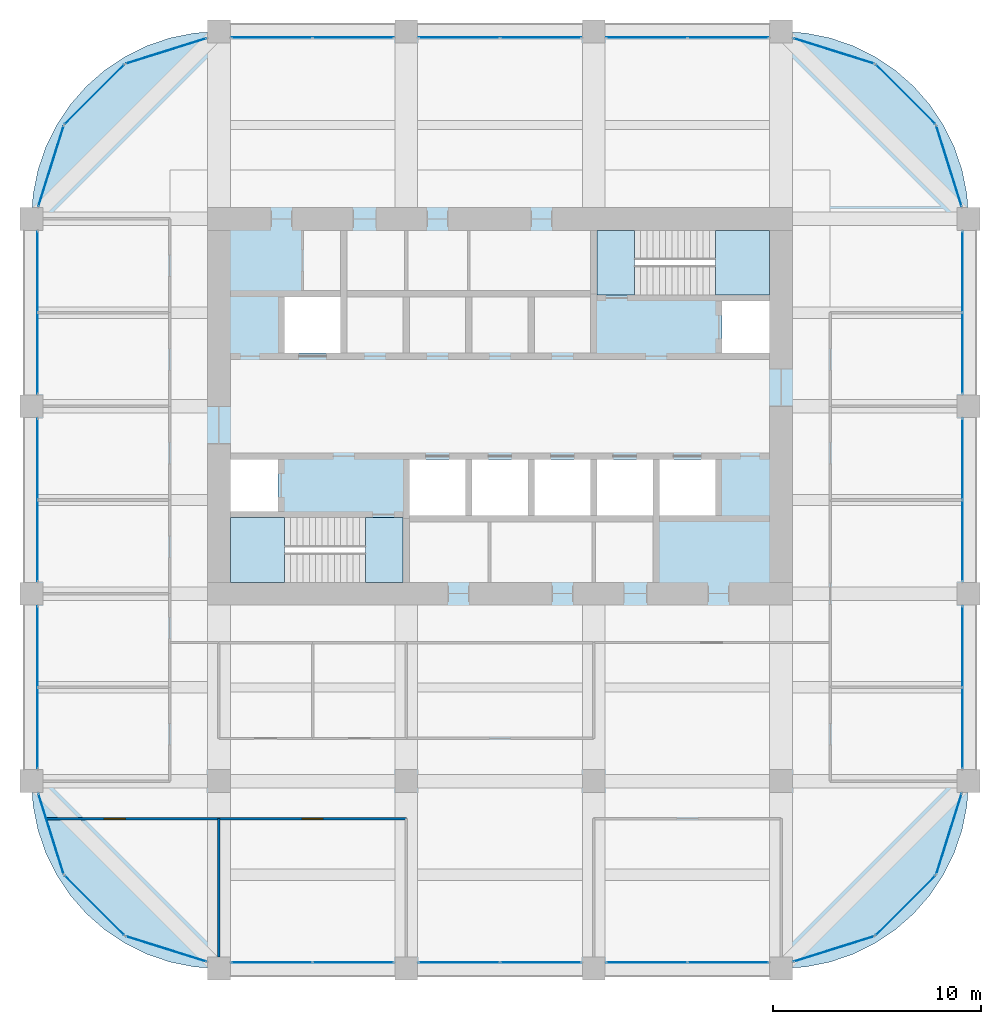
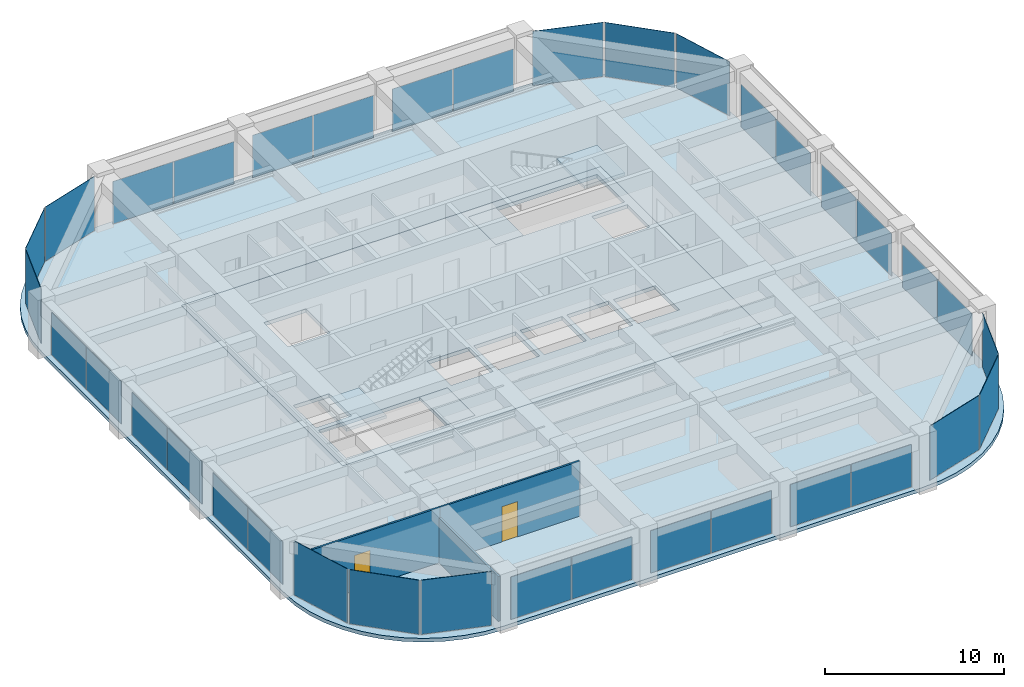
# One storey, part 40 of 44: 36 plates, 6 slabs, 3 walls, 2 doors, 2 openings, 26 elements without a shape of their own.
"""IFC4 building model written with IfcOpenShell, lengths in metres."""

from ifc_helpers import new_model, si_unit, direction, frame, frame_2d, origin, origin_2d, place, context, subcontext, project, spatial, polyline, rectangle, outline, extrude, material, layer, layer_set, type_object, element, fill, aggregate, save


model = new_model("IFC4")

# Units and contexts
model_context = context("Model", 3, precision=1e-05, world=origin(), true_north=direction((0.0, 1.0)))
body_context = subcontext(model_context, "Body", "Model", "MODEL_VIEW")
ifc_project = project(units=[si_unit("LENGTHUNIT", "METRE"), si_unit("AREAUNIT", "SQUARE_METRE"), si_unit("VOLUMEUNIT", "CUBIC_METRE"), si_unit("PLANEANGLEUNIT", "RADIAN"), si_unit("MASSUNIT", "GRAM", prefix="KILO")], contexts=[model_context])

# Site, building, storey
site_placement = place(None, origin())
site = spatial("IfcSite", under=ifc_project, at=site_placement, CompositionType="ELEMENT")
building_placement = place(site_placement, origin())
building = spatial("IfcBuilding", under=site, at=building_placement, Name="Zorevar Civic Tower", CompositionType="ELEMENT")
storey_placement = place(building_placement, frame((0.0, 0.0, 287.39990234375)))
storey = spatial("IfcBuildingStorey", under=building, at=storey_placement, Name="L70", CompositionType="ELEMENT", Elevation=287.39990234375)

# Curtain wall, plates
ifc_material_1 = material(Name="Dark grey solar-control glass in black aluminium frame", Category="aluminium")
curtain_wall_type = type_object("IfcCurtainWallType", Name="Curtain wall CW5 top zone", PredefinedType="NOTDEFINED", material=ifc_material_1)
curtain_wall_1_placement = place(storey_placement, origin())
curtain_wall_1 = element("IfcCurtainWall", 1, at=curtain_wall_1_placement, inside=storey, type_object=curtain_wall_type, Name="CW5 L70", PredefinedType="NOTDEFINED")
ifc_material_2 = material(Name="Dark grey solar-control glass", Category="glass")
ifc_layer_1 = layer(ifc_material_2, 0.028076171875)
ifc_layer_set_1 = layer_set([ifc_layer_1], Name="CW5 panel 28")
plate_type = type_object("IfcPlateType", Name="CW5 panel 28", PredefinedType="CURTAIN_PANEL", material=ifc_layer_set_1)
plate_1_placement = place(storey_placement, frame((20.5400390625, 0.300048828125, 0.06005859375), z_axis=(0.0, 0.0, 1.0), x_axis=(1.0, 0.0, 0.0)))
plate_1 = element("IfcPlate", 2, at=plate_1_placement, type_object=plate_type, Name="CW5 panel 1.1", PredefinedType="CURTAIN_PANEL", context=body_context, shape_type="SweptSolid", body=[
    extrude(rectangle(XDim=3.860107421875, YDim=0.028076171875, at=origin_2d()), origin(), (0.0, 0.0, 1.0), 2.889892578125),
])
plate_2_placement = place(storey_placement, frame((24.4599609375, 0.300048828125, 0.06005859375), z_axis=(0.0, 0.0, 1.0), x_axis=(1.0, 0.0, 0.0)))
plate_2 = element("IfcPlate", 3, at=plate_2_placement, type_object=plate_type, Name="CW5 panel 2.1", PredefinedType="CURTAIN_PANEL", context=body_context, shape_type="SweptSolid", body=[
    extrude(rectangle(XDim=3.860107421875, YDim=0.028076171875, at=origin_2d()), origin(), (0.0, 0.0, 1.0), 2.889892578125),
])
aggregate(curtain_wall_1, [plate_1, plate_2])

curtain_wall_2_placement = place(storey_placement, origin())
curtain_wall_2 = element("IfcCurtainWall", 4, at=curtain_wall_2_placement, inside=storey, type_object=curtain_wall_type, Name="CW5 L70", PredefinedType="NOTDEFINED")
plate_3_placement = place(storey_placement, frame((20.5400390625, 44.699951171875, 0.06005859375), z_axis=(0.0, 0.0, 1.0), x_axis=(1.0, 0.0, 0.0)))
plate_3 = element("IfcPlate", 5, at=plate_3_placement, type_object=plate_type, Name="CW5 panel 1.1", PredefinedType="CURTAIN_PANEL", context=body_context, shape_type="SweptSolid", body=[
    extrude(rectangle(XDim=3.860107421875, YDim=0.028076171875, at=origin_2d()), origin(), (0.0, 0.0, 1.0), 2.889892578125),
])
plate_4_placement = place(storey_placement, frame((24.4599609375, 44.699951171875, 0.06005859375), z_axis=(0.0, 0.0, 1.0), x_axis=(1.0, 0.0, 0.0)))
plate_4 = element("IfcPlate", 6, at=plate_4_placement, type_object=plate_type, Name="CW5 panel 2.1", PredefinedType="CURTAIN_PANEL", context=body_context, shape_type="SweptSolid", body=[
    extrude(rectangle(XDim=3.860107421875, YDim=0.028076171875, at=origin_2d()), origin(), (0.0, 0.0, 1.0), 2.889892578125),
])
aggregate(curtain_wall_2, [plate_3, plate_4])

curtain_wall_3_placement = place(storey_placement, origin())
curtain_wall_3 = element("IfcCurtainWall", 7, at=curtain_wall_3_placement, inside=storey, type_object=curtain_wall_type, Name="CW5 L70", PredefinedType="NOTDEFINED")
plate_5_placement = place(storey_placement, frame((29.5400390625, 0.300048828125, 0.06005859375), z_axis=(0.0, 0.0, 1.0), x_axis=(1.0, 0.0, 0.0)))
plate_5 = element("IfcPlate", 8, at=plate_5_placement, type_object=plate_type, Name="CW5 panel 1.1", PredefinedType="CURTAIN_PANEL", context=body_context, shape_type="SweptSolid", body=[
    extrude(rectangle(XDim=3.860107421875, YDim=0.028076171875, at=origin_2d()), origin(), (0.0, 0.0, 1.0), 2.889892578125),
])
plate_6_placement = place(storey_placement, frame((33.4599609375, 0.300048828125, 0.06005859375), z_axis=(0.0, 0.0, 1.0), x_axis=(1.0, 0.0, 0.0)))
plate_6 = element("IfcPlate", 9, at=plate_6_placement, type_object=plate_type, Name="CW5 panel 2.1", PredefinedType="CURTAIN_PANEL", context=body_context, shape_type="SweptSolid", body=[
    extrude(rectangle(XDim=3.860107421875, YDim=0.028076171875, at=origin_2d()), origin(), (0.0, 0.0, 1.0), 2.889892578125),
])
aggregate(curtain_wall_3, [plate_5, plate_6])

curtain_wall_4_placement = place(storey_placement, origin())
curtain_wall_4 = element("IfcCurtainWall", 10, at=curtain_wall_4_placement, inside=storey, type_object=curtain_wall_type, Name="CW5 L70", PredefinedType="NOTDEFINED")
plate_7_placement = place(storey_placement, frame((29.5400390625, 44.699951171875, 0.06005859375), z_axis=(0.0, 0.0, 1.0), x_axis=(1.0, 0.0, 0.0)))
plate_7 = element("IfcPlate", 11, at=plate_7_placement, type_object=plate_type, Name="CW5 panel 1.1", PredefinedType="CURTAIN_PANEL", context=body_context, shape_type="SweptSolid", body=[
    extrude(rectangle(XDim=3.860107421875, YDim=0.028076171875, at=origin_2d()), origin(), (0.0, 0.0, 1.0), 2.889892578125),
])
plate_8_placement = place(storey_placement, frame((33.4599609375, 44.699951171875, 0.06005859375), z_axis=(0.0, 0.0, 1.0), x_axis=(1.0, 0.0, 0.0)))
plate_8 = element("IfcPlate", 12, at=plate_8_placement, type_object=plate_type, Name="CW5 panel 2.1", PredefinedType="CURTAIN_PANEL", context=body_context, shape_type="SweptSolid", body=[
    extrude(rectangle(XDim=3.860107421875, YDim=0.028076171875, at=origin_2d()), origin(), (0.0, 0.0, 1.0), 2.889892578125),
])
aggregate(curtain_wall_4, [plate_7, plate_8])

curtain_wall_5_placement = place(storey_placement, origin())
curtain_wall_5 = element("IfcCurtainWall", 13, at=curtain_wall_5_placement, inside=storey, type_object=curtain_wall_type, Name="CW5 L70", PredefinedType="NOTDEFINED")
plate_9_placement = place(storey_placement, frame((38.5400390625, 0.300048828125, 0.06005859375), z_axis=(0.0, 0.0, 1.0), x_axis=(1.0, 0.0, 0.0)))
plate_9 = element("IfcPlate", 14, at=plate_9_placement, type_object=plate_type, Name="CW5 panel 1.1", PredefinedType="CURTAIN_PANEL", context=body_context, shape_type="SweptSolid", body=[
    extrude(rectangle(XDim=3.860107421875, YDim=0.028076171875, at=origin_2d()), origin(), (0.0, 0.0, 1.0), 2.889892578125),
])
plate_10_placement = place(storey_placement, frame((42.4599609375, 0.300048828125, 0.06005859375), z_axis=(0.0, 0.0, 1.0), x_axis=(1.0, 0.0, 0.0)))
plate_10 = element("IfcPlate", 15, at=plate_10_placement, type_object=plate_type, Name="CW5 panel 2.1", PredefinedType="CURTAIN_PANEL", context=body_context, shape_type="SweptSolid", body=[
    extrude(rectangle(XDim=3.860107421875, YDim=0.028076171875, at=origin_2d()), origin(), (0.0, 0.0, 1.0), 2.889892578125),
])
aggregate(curtain_wall_5, [plate_9, plate_10])

curtain_wall_6_placement = place(storey_placement, origin())
curtain_wall_6 = element("IfcCurtainWall", 16, at=curtain_wall_6_placement, inside=storey, type_object=curtain_wall_type, Name="CW5 L70", PredefinedType="NOTDEFINED")
plate_11_placement = place(storey_placement, frame((38.5400390625, 44.699951171875, 0.06005859375), z_axis=(0.0, 0.0, 1.0), x_axis=(1.0, 0.0, 0.0)))
plate_11 = element("IfcPlate", 17, at=plate_11_placement, type_object=plate_type, Name="CW5 panel 1.1", PredefinedType="CURTAIN_PANEL", context=body_context, shape_type="SweptSolid", body=[
    extrude(rectangle(XDim=3.860107421875, YDim=0.028076171875, at=origin_2d()), origin(), (0.0, 0.0, 1.0), 2.889892578125),
])
plate_12_placement = place(storey_placement, frame((42.4599609375, 44.699951171875, 0.06005859375), z_axis=(0.0, 0.0, 1.0), x_axis=(1.0, 0.0, 0.0)))
plate_12 = element("IfcPlate", 18, at=plate_12_placement, type_object=plate_type, Name="CW5 panel 2.1", PredefinedType="CURTAIN_PANEL", context=body_context, shape_type="SweptSolid", body=[
    extrude(rectangle(XDim=3.860107421875, YDim=0.028076171875, at=origin_2d()), origin(), (0.0, 0.0, 1.0), 2.889892578125),
])
aggregate(curtain_wall_6, [plate_11, plate_12])

curtain_wall_7_placement = place(storey_placement, origin())
curtain_wall_7 = element("IfcCurtainWall", 19, at=curtain_wall_7_placement, inside=storey, type_object=curtain_wall_type, Name="CW5 L70", PredefinedType="NOTDEFINED")
plate_13_placement = place(storey_placement, frame((9.300048828125, 11.5400390625, 0.06005859375), z_axis=(0.0, 0.0, 1.0), x_axis=(0.0, 1.0, 0.0)))
plate_13 = element("IfcPlate", 20, at=plate_13_placement, type_object=plate_type, Name="CW5 panel 1.1", PredefinedType="CURTAIN_PANEL", context=body_context, shape_type="SweptSolid", body=[
    extrude(rectangle(XDim=3.860107421875, YDim=0.028076171875, at=origin_2d()), origin(), (0.0, 0.0, 1.0), 2.889892578125),
])
plate_14_placement = place(storey_placement, frame((9.300048828125, 15.4599609375, 0.06005859375), z_axis=(0.0, 0.0, 1.0), x_axis=(0.0, 1.0, 0.0)))
plate_14 = element("IfcPlate", 21, at=plate_14_placement, type_object=plate_type, Name="CW5 panel 2.1", PredefinedType="CURTAIN_PANEL", context=body_context, shape_type="SweptSolid", body=[
    extrude(rectangle(XDim=3.860107421875, YDim=0.028076171875, at=origin_2d()), origin(), (0.0, 0.0, 1.0), 2.889892578125),
])
aggregate(curtain_wall_7, [plate_13, plate_14])

curtain_wall_8_placement = place(storey_placement, origin())
curtain_wall_8 = element("IfcCurtainWall", 22, at=curtain_wall_8_placement, inside=storey, type_object=curtain_wall_type, Name="CW5 L70", PredefinedType="NOTDEFINED")
plate_15_placement = place(storey_placement, frame((53.699951171875, 11.5400390625, 0.06005859375), z_axis=(0.0, 0.0, 1.0), x_axis=(0.0, 1.0, 0.0)))
plate_15 = element("IfcPlate", 23, at=plate_15_placement, type_object=plate_type, Name="CW5 panel 1.1", PredefinedType="CURTAIN_PANEL", context=body_context, shape_type="SweptSolid", body=[
    extrude(rectangle(XDim=3.860107421875, YDim=0.028076171875, at=origin_2d()), origin(), (0.0, 0.0, 1.0), 2.889892578125),
])
plate_16_placement = place(storey_placement, frame((53.699951171875, 15.4599609375, 0.06005859375), z_axis=(0.0, 0.0, 1.0), x_axis=(0.0, 1.0, 0.0)))
plate_16 = element("IfcPlate", 24, at=plate_16_placement, type_object=plate_type, Name="CW5 panel 2.1", PredefinedType="CURTAIN_PANEL", context=body_context, shape_type="SweptSolid", body=[
    extrude(rectangle(XDim=3.860107421875, YDim=0.028076171875, at=origin_2d()), origin(), (0.0, 0.0, 1.0), 2.889892578125),
])
aggregate(curtain_wall_8, [plate_15, plate_16])

curtain_wall_9_placement = place(storey_placement, origin())
curtain_wall_9 = element("IfcCurtainWall", 25, at=curtain_wall_9_placement, inside=storey, type_object=curtain_wall_type, Name="CW5 L70", PredefinedType="NOTDEFINED")
plate_17_placement = place(storey_placement, frame((9.300048828125, 20.5400390625, 0.06005859375), z_axis=(0.0, 0.0, 1.0), x_axis=(0.0, 1.0, 0.0)))
plate_17 = element("IfcPlate", 26, at=plate_17_placement, type_object=plate_type, Name="CW5 panel 1.1", PredefinedType="CURTAIN_PANEL", context=body_context, shape_type="SweptSolid", body=[
    extrude(rectangle(XDim=3.860107421875, YDim=0.028076171875, at=origin_2d()), origin(), (0.0, 0.0, 1.0), 2.889892578125),
])
plate_18_placement = place(storey_placement, frame((9.300048828125, 24.4599609375, 0.06005859375), z_axis=(0.0, 0.0, 1.0), x_axis=(0.0, 1.0, 0.0)))
plate_18 = element("IfcPlate", 27, at=plate_18_placement, type_object=plate_type, Name="CW5 panel 2.1", PredefinedType="CURTAIN_PANEL", context=body_context, shape_type="SweptSolid", body=[
    extrude(rectangle(XDim=3.860107421875, YDim=0.028076171875, at=origin_2d()), origin(), (0.0, 0.0, 1.0), 2.889892578125),
])
aggregate(curtain_wall_9, [plate_17, plate_18])

curtain_wall_10_placement = place(storey_placement, origin())
curtain_wall_10 = element("IfcCurtainWall", 28, at=curtain_wall_10_placement, inside=storey, type_object=curtain_wall_type, Name="CW5 L70", PredefinedType="NOTDEFINED")
plate_19_placement = place(storey_placement, frame((53.699951171875, 20.5400390625, 0.06005859375), z_axis=(0.0, 0.0, 1.0), x_axis=(0.0, 1.0, 0.0)))
plate_19 = element("IfcPlate", 29, at=plate_19_placement, type_object=plate_type, Name="CW5 panel 1.1", PredefinedType="CURTAIN_PANEL", context=body_context, shape_type="SweptSolid", body=[
    extrude(rectangle(XDim=3.860107421875, YDim=0.028076171875, at=origin_2d()), origin(), (0.0, 0.0, 1.0), 2.889892578125),
])
plate_20_placement = place(storey_placement, frame((53.699951171875, 24.4599609375, 0.06005859375), z_axis=(0.0, 0.0, 1.0), x_axis=(0.0, 1.0, 0.0)))
plate_20 = element("IfcPlate", 30, at=plate_20_placement, type_object=plate_type, Name="CW5 panel 2.1", PredefinedType="CURTAIN_PANEL", context=body_context, shape_type="SweptSolid", body=[
    extrude(rectangle(XDim=3.860107421875, YDim=0.028076171875, at=origin_2d()), origin(), (0.0, 0.0, 1.0), 2.889892578125),
])
aggregate(curtain_wall_10, [plate_19, plate_20])

curtain_wall_11_placement = place(storey_placement, origin())
curtain_wall_11 = element("IfcCurtainWall", 31, at=curtain_wall_11_placement, inside=storey, type_object=curtain_wall_type, Name="CW5 L70", PredefinedType="NOTDEFINED")
plate_21_placement = place(storey_placement, frame((9.300048828125, 29.5400390625, 0.06005859375), z_axis=(0.0, 0.0, 1.0), x_axis=(0.0, 1.0, 0.0)))
plate_21 = element("IfcPlate", 32, at=plate_21_placement, type_object=plate_type, Name="CW5 panel 1.1", PredefinedType="CURTAIN_PANEL", context=body_context, shape_type="SweptSolid", body=[
    extrude(rectangle(XDim=3.860107421875, YDim=0.028076171875, at=origin_2d()), origin(), (0.0, 0.0, 1.0), 2.889892578125),
])
plate_22_placement = place(storey_placement, frame((9.300048828125, 33.4599609375, 0.06005859375), z_axis=(0.0, 0.0, 1.0), x_axis=(0.0, 1.0, 0.0)))
plate_22 = element("IfcPlate", 33, at=plate_22_placement, type_object=plate_type, Name="CW5 panel 2.1", PredefinedType="CURTAIN_PANEL", context=body_context, shape_type="SweptSolid", body=[
    extrude(rectangle(XDim=3.860107421875, YDim=0.028076171875, at=origin_2d()), origin(), (0.0, 0.0, 1.0), 2.889892578125),
])
aggregate(curtain_wall_11, [plate_21, plate_22])

curtain_wall_12_placement = place(storey_placement, origin())
curtain_wall_12 = element("IfcCurtainWall", 34, at=curtain_wall_12_placement, inside=storey, type_object=curtain_wall_type, Name="CW5 L70", PredefinedType="NOTDEFINED")
plate_23_placement = place(storey_placement, frame((53.699951171875, 29.5400390625, 0.06005859375), z_axis=(0.0, 0.0, 1.0), x_axis=(0.0, 1.0, 0.0)))
plate_23 = element("IfcPlate", 35, at=plate_23_placement, type_object=plate_type, Name="CW5 panel 1.1", PredefinedType="CURTAIN_PANEL", context=body_context, shape_type="SweptSolid", body=[
    extrude(rectangle(XDim=3.860107421875, YDim=0.028076171875, at=origin_2d()), origin(), (0.0, 0.0, 1.0), 2.889892578125),
])
plate_24_placement = place(storey_placement, frame((53.699951171875, 33.4599609375, 0.06005859375), z_axis=(0.0, 0.0, 1.0), x_axis=(0.0, 1.0, 0.0)))
plate_24 = element("IfcPlate", 36, at=plate_24_placement, type_object=plate_type, Name="CW5 panel 2.1", PredefinedType="CURTAIN_PANEL", context=body_context, shape_type="SweptSolid", body=[
    extrude(rectangle(XDim=3.860107421875, YDim=0.028076171875, at=origin_2d()), origin(), (0.0, 0.0, 1.0), 2.889892578125),
])
aggregate(curtain_wall_12, [plate_23, plate_24])

# Curtain wall, plate
curtain_wall_13_placement = place(storey_placement, origin())
curtain_wall_13 = element("IfcCurtainWall", 37, at=curtain_wall_13_placement, inside=storey, type_object=curtain_wall_type, Name="CW5 L70", PredefinedType="NOTDEFINED")
plate_25_placement = place(storey_placement, frame((47.52880859375, 0.938232421875, 0.06005859375), z_axis=(0.0, 0.0, 1.0), x_axis=(0.954153437674, 0.299317920238, 0.0)))
plate_25 = element("IfcPlate", 38, at=plate_25_placement, type_object=plate_type, Name="CW5 panel 1.1", PredefinedType="CURTAIN_PANEL", context=body_context, shape_type="SweptSolid", body=[
    extrude(rectangle(XDim=4.028076171875, YDim=0.028076171875, at=origin_2d()), origin(), (0.0, 0.0, 1.0), 3.68994140625),
])
aggregate(curtain_wall_13, [plate_25])

curtain_wall_14_placement = place(storey_placement, origin())
curtain_wall_14 = element("IfcCurtainWall", 39, at=curtain_wall_14_placement, inside=storey, type_object=curtain_wall_type, Name="CW5 L70", PredefinedType="NOTDEFINED")
plate_26_placement = place(storey_placement, frame((50.974365234375, 3.025634765625, 0.06005859375), z_axis=(0.0, 0.0, 1.0), x_axis=(0.707106781187, 0.707106781187, 0.0)))
plate_26 = element("IfcPlate", 40, at=plate_26_placement, type_object=plate_type, Name="CW5 panel 1.1", PredefinedType="CURTAIN_PANEL", context=body_context, shape_type="SweptSolid", body=[
    extrude(rectangle(XDim=4.028076171875, YDim=0.028076171875, at=origin_2d()), origin(), (0.0, 0.0, 1.0), 3.68994140625),
])
aggregate(curtain_wall_14, [plate_26])

curtain_wall_15_placement = place(storey_placement, origin())
curtain_wall_15 = element("IfcCurtainWall", 41, at=curtain_wall_15_placement, inside=storey, type_object=curtain_wall_type, Name="CW5 L70", PredefinedType="NOTDEFINED")
plate_27_placement = place(storey_placement, frame((53.061767578125, 6.47119140625, 0.06005859375), z_axis=(0.0, 0.0, 1.0), x_axis=(0.299317920238, 0.954153437674, 0.0)))
plate_27 = element("IfcPlate", 42, at=plate_27_placement, type_object=plate_type, Name="CW5 panel 1.1", PredefinedType="CURTAIN_PANEL", context=body_context, shape_type="SweptSolid", body=[
    extrude(rectangle(XDim=4.028076171875, YDim=0.028076171875, at=origin_2d()), origin(), (0.0, 0.0, 1.0), 3.68994140625),
])
aggregate(curtain_wall_15, [plate_27])

curtain_wall_16_placement = place(storey_placement, origin())
curtain_wall_16 = element("IfcCurtainWall", 43, at=curtain_wall_16_placement, inside=storey, type_object=curtain_wall_type, Name="CW5 L70", PredefinedType="NOTDEFINED")
plate_28_placement = place(storey_placement, frame((53.061767578125, 38.52880859375, 0.06005859375), z_axis=(0.0, 0.0, 1.0), x_axis=(-0.299317920238, 0.954153437674, 0.0)))
plate_28 = element("IfcPlate", 44, at=plate_28_placement, type_object=plate_type, Name="CW5 panel 1.1", PredefinedType="CURTAIN_PANEL", context=body_context, shape_type="SweptSolid", body=[
    extrude(rectangle(XDim=4.028076171875, YDim=0.028076171875, at=origin_2d()), origin(), (0.0, 0.0, 1.0), 3.68994140625),
])
aggregate(curtain_wall_16, [plate_28])

curtain_wall_17_placement = place(storey_placement, origin())
curtain_wall_17 = element("IfcCurtainWall", 45, at=curtain_wall_17_placement, inside=storey, type_object=curtain_wall_type, Name="CW5 L70", PredefinedType="NOTDEFINED")
plate_29_placement = place(storey_placement, frame((50.974365234375, 41.974365234375, 0.06005859375), z_axis=(0.0, 0.0, 1.0), x_axis=(-0.707106781187, 0.707106781187, 0.0)))
plate_29 = element("IfcPlate", 46, at=plate_29_placement, type_object=plate_type, Name="CW5 panel 1.1", PredefinedType="CURTAIN_PANEL", context=body_context, shape_type="SweptSolid", body=[
    extrude(rectangle(XDim=4.028076171875, YDim=0.028076171875, at=origin_2d()), origin(), (0.0, 0.0, 1.0), 3.68994140625),
])
aggregate(curtain_wall_17, [plate_29])

curtain_wall_18_placement = place(storey_placement, origin())
curtain_wall_18 = element("IfcCurtainWall", 47, at=curtain_wall_18_placement, inside=storey, type_object=curtain_wall_type, Name="CW5 L70", PredefinedType="NOTDEFINED")
plate_30_placement = place(storey_placement, frame((47.52880859375, 44.061767578125, 0.06005859375), z_axis=(0.0, 0.0, 1.0), x_axis=(-0.954153437674, 0.299317920238, 0.0)))
plate_30 = element("IfcPlate", 48, at=plate_30_placement, type_object=plate_type, Name="CW5 panel 1.1", PredefinedType="CURTAIN_PANEL", context=body_context, shape_type="SweptSolid", body=[
    extrude(rectangle(XDim=4.028076171875, YDim=0.028076171875, at=origin_2d()), origin(), (0.0, 0.0, 1.0), 3.68994140625),
])
aggregate(curtain_wall_18, [plate_30])

curtain_wall_19_placement = place(storey_placement, origin())
curtain_wall_19 = element("IfcCurtainWall", 49, at=curtain_wall_19_placement, inside=storey, type_object=curtain_wall_type, Name="CW5 L70", PredefinedType="NOTDEFINED")
plate_31_placement = place(storey_placement, frame((15.47119140625, 44.061767578125, 0.06005859375), z_axis=(0.0, 0.0, 1.0), x_axis=(-0.954153437674, -0.299317920238, 0.0)))
plate_31 = element("IfcPlate", 50, at=plate_31_placement, type_object=plate_type, Name="CW5 panel 1.1", PredefinedType="CURTAIN_PANEL", context=body_context, shape_type="SweptSolid", body=[
    extrude(rectangle(XDim=4.028076171875, YDim=0.028076171875, at=origin_2d()), origin(), (0.0, 0.0, 1.0), 3.68994140625),
])
aggregate(curtain_wall_19, [plate_31])

curtain_wall_20_placement = place(storey_placement, origin())
curtain_wall_20 = element("IfcCurtainWall", 51, at=curtain_wall_20_placement, inside=storey, type_object=curtain_wall_type, Name="CW5 L70", PredefinedType="NOTDEFINED")
plate_32_placement = place(storey_placement, frame((12.025634765625, 41.974365234375, 0.06005859375), z_axis=(0.0, 0.0, 1.0), x_axis=(-0.707106781187, -0.707106781187, 0.0)))
plate_32 = element("IfcPlate", 52, at=plate_32_placement, type_object=plate_type, Name="CW5 panel 1.1", PredefinedType="CURTAIN_PANEL", context=body_context, shape_type="SweptSolid", body=[
    extrude(rectangle(XDim=4.028076171875, YDim=0.028076171875, at=origin_2d()), origin(), (0.0, 0.0, 1.0), 3.68994140625),
])
aggregate(curtain_wall_20, [plate_32])

curtain_wall_21_placement = place(storey_placement, origin())
curtain_wall_21 = element("IfcCurtainWall", 53, at=curtain_wall_21_placement, inside=storey, type_object=curtain_wall_type, Name="CW5 L70", PredefinedType="NOTDEFINED")
plate_33_placement = place(storey_placement, frame((9.938232421875, 38.52880859375, 0.06005859375), z_axis=(0.0, 0.0, 1.0), x_axis=(-0.299317920238, -0.954153437674, 0.0)))
plate_33 = element("IfcPlate", 54, at=plate_33_placement, type_object=plate_type, Name="CW5 panel 1.1", PredefinedType="CURTAIN_PANEL", context=body_context, shape_type="SweptSolid", body=[
    extrude(rectangle(XDim=4.028076171875, YDim=0.028076171875, at=origin_2d()), origin(), (0.0, 0.0, 1.0), 3.68994140625),
])
aggregate(curtain_wall_21, [plate_33])

curtain_wall_22_placement = place(storey_placement, origin())
curtain_wall_22 = element("IfcCurtainWall", 55, at=curtain_wall_22_placement, inside=storey, type_object=curtain_wall_type, Name="CW5 L70", PredefinedType="NOTDEFINED")
plate_34_placement = place(storey_placement, frame((9.938232421875, 6.47119140625, 0.06005859375), z_axis=(0.0, 0.0, 1.0), x_axis=(0.299317920238, -0.954153437674, 0.0)))
plate_34 = element("IfcPlate", 56, at=plate_34_placement, type_object=plate_type, Name="CW5 panel 1.1", PredefinedType="CURTAIN_PANEL", context=body_context, shape_type="SweptSolid", body=[
    extrude(rectangle(XDim=4.028076171875, YDim=0.028076171875, at=origin_2d()), origin(), (0.0, 0.0, 1.0), 3.68994140625),
])
aggregate(curtain_wall_22, [plate_34])

curtain_wall_23_placement = place(storey_placement, origin())
curtain_wall_23 = element("IfcCurtainWall", 57, at=curtain_wall_23_placement, inside=storey, type_object=curtain_wall_type, Name="CW5 L70", PredefinedType="NOTDEFINED")
plate_35_placement = place(storey_placement, frame((12.025634765625, 3.025634765625, 0.06005859375), z_axis=(0.0, 0.0, 1.0), x_axis=(0.707106781187, -0.707106781187, 0.0)))
plate_35 = element("IfcPlate", 58, at=plate_35_placement, type_object=plate_type, Name="CW5 panel 1.1", PredefinedType="CURTAIN_PANEL", context=body_context, shape_type="SweptSolid", body=[
    extrude(rectangle(XDim=4.028076171875, YDim=0.028076171875, at=origin_2d()), origin(), (0.0, 0.0, 1.0), 3.68994140625),
])
aggregate(curtain_wall_23, [plate_35])

curtain_wall_24_placement = place(storey_placement, origin())
curtain_wall_24 = element("IfcCurtainWall", 59, at=curtain_wall_24_placement, inside=storey, type_object=curtain_wall_type, Name="CW5 L70", PredefinedType="NOTDEFINED")
plate_36_placement = place(storey_placement, frame((15.47119140625, 0.938232421875, 0.06005859375), z_axis=(0.0, 0.0, 1.0), x_axis=(0.954153437674, -0.299317920238, 0.0)))
plate_36 = element("IfcPlate", 60, at=plate_36_placement, type_object=plate_type, Name="CW5 panel 1.1", PredefinedType="CURTAIN_PANEL", context=body_context, shape_type="SweptSolid", body=[
    extrude(rectangle(XDim=4.028076171875, YDim=0.028076171875, at=origin_2d()), origin(), (0.0, 0.0, 1.0), 3.68994140625),
])
aggregate(curtain_wall_24, [plate_36])

# Slabs
ifc_material_3 = material(Name="Concrete C40/50", Category="concrete")
ifc_layer_2 = layer(ifc_material_3, 0.25)
ifc_layer_set_2 = layer_set([ifc_layer_2], Name="Floor slab 250")
slab_type_1 = type_object("IfcSlabType", Name="Floor slab 250", PredefinedType="FLOOR", material=ifc_layer_set_2)
slab_1_placement = place(storey_placement, frame((0.0, 0.0, -0.25)))
element("IfcSlab", 61, at=slab_1_placement, inside=storey, type_object=slab_type_1, Name="Floor slab L70", PredefinedType="FLOOR", context=body_context, shape_type="SweptSolid", body=[
    extrude(outline(polyline([(45.0, 0.0), (46.1748046875, 0.076904296875), (47.329345703125, 0.306640625), (48.444091796875, 0.68505859375), (49.5, 1.205810546875), (50.478759765625, 1.85986328125), (51.364013671875, 2.635986328125), (52.14013671875, 3.521240234375), (52.794189453125, 4.5), (53.31494140625, 5.555908203125), (53.693359375, 6.670654296875), (53.923095703125, 7.8251953125), (54.0, 9.0), (54.0, 36.0), (53.923095703125, 37.1748046875), (53.693359375, 38.329345703125), (53.31494140625, 39.444091796875), (52.794189453125, 40.5), (52.14013671875, 41.478759765625), (51.364013671875, 42.364013671875), (50.478759765625, 43.14013671875), (49.5, 43.794189453125), (48.444091796875, 44.31494140625), (47.329345703125, 44.693359375), (46.1748046875, 44.923095703125), (45.0, 45.0), (18.0, 45.0), (16.8251953125, 44.923095703125), (15.670654296875, 44.693359375), (14.555908203125, 44.31494140625), (13.5, 43.794189453125), (12.521240234375, 43.14013671875), (11.635986328125, 42.364013671875), (10.85986328125, 41.478759765625), (10.205810546875, 40.5), (9.68505859375, 39.444091796875), (9.306640625, 38.329345703125), (9.076904296875, 37.1748046875), (9.0, 36.0), (9.0, 9.0), (9.076904296875, 7.8251953125), (9.306640625, 6.670654296875), (9.68505859375, 5.555908203125), (10.205810546875, 4.5), (10.85986328125, 3.521240234375), (11.635986328125, 2.635986328125), (12.521240234375, 1.85986328125), (13.5, 1.205810546875), (14.555908203125, 0.68505859375), (15.670654296875, 0.306640625), (16.8251953125, 0.076904296875), (18.0, 0.0), (45.0, 0.0)]), holes=[polyline([(18.0, 18.0), (45.0, 18.0), (45.0, 36.0), (18.0, 36.0), (18.0, 18.0)])]), origin(), (0.0, 0.0, 1.0), 0.25),
])
slab_2_placement = place(storey_placement, frame((0.0, 0.0, -0.25)))
element("IfcSlab", 62, at=slab_2_placement, inside=storey, type_object=slab_type_1, Name="Core floor L70", PredefinedType="FLOOR", context=body_context, shape_type="SweptSolid", body=[
    extrude(outline(polyline([(18.0, 18.0), (45.0, 18.0), (45.0, 36.0), (18.0, 36.0), (18.0, 18.0)]), holes=[polyline([(18.550048828125, 18.550048828125), (26.85009765625, 18.550048828125), (26.85009765625, 21.64990234375), (18.550048828125, 21.64990234375), (18.550048828125, 18.550048828125)]), polyline([(36.14990234375, 32.35009765625), (44.449951171875, 32.35009765625), (44.449951171875, 35.449951171875), (36.14990234375, 35.449951171875), (36.14990234375, 32.35009765625)]), polyline([(18.550048828125, 21.949951171875), (20.85009765625, 21.949951171875), (20.85009765625, 24.449951171875), (18.550048828125, 24.449951171875), (18.550048828125, 21.949951171875)]), polyline([(42.14990234375, 29.550048828125), (44.449951171875, 29.550048828125), (44.449951171875, 32.050048828125), (42.14990234375, 32.050048828125), (42.14990234375, 29.550048828125)]), polyline([(27.14990234375, 21.75), (29.85009765625, 21.75), (29.85009765625, 24.449951171875), (27.14990234375, 24.449951171875), (27.14990234375, 21.75)]), polyline([(30.14990234375, 21.75), (32.85009765625, 21.75), (32.85009765625, 24.449951171875), (30.14990234375, 24.449951171875), (30.14990234375, 21.75)]), polyline([(33.14990234375, 21.75), (35.85009765625, 21.75), (35.85009765625, 24.449951171875), (33.14990234375, 24.449951171875), (33.14990234375, 21.75)]), polyline([(36.14990234375, 21.75), (38.85009765625, 21.75), (38.85009765625, 24.449951171875), (36.14990234375, 24.449951171875), (36.14990234375, 21.75)]), polyline([(39.14990234375, 21.75), (41.85009765625, 21.75), (41.85009765625, 24.449951171875), (39.14990234375, 24.449951171875), (39.14990234375, 21.75)]), polyline([(21.14990234375, 29.550048828125), (23.85009765625, 29.550048828125), (23.85009765625, 32.25), (21.14990234375, 32.25), (21.14990234375, 29.550048828125)])]), origin(), (0.0, 0.0, 1.0), 0.25),
])

# Stair, slabs
ifc_material_4 = material(Name="Precast concrete C40/50", Category="concrete")
stair_type = type_object("IfcStairType", Name="Stair ST 28R", PredefinedType="HALF_TURN_STAIR", material=ifc_material_4)
stair_1_placement = place(storey_placement, origin())
stair_1 = element("IfcStair", 63, at=stair_1_placement, inside=storey, type_object=stair_type, Name="Stair ST1 L70", PredefinedType="HALF_TURN_STAIR")
ifc_material_5 = material(Name="Concrete C40/50", Category="concrete")
ifc_layer_3 = layer(ifc_material_5, 0.199951171875)
ifc_layer_set_3 = layer_set([ifc_layer_3], Name="Stair landing 200")
slab_type_2 = type_object("IfcSlabType", Name="Stair landing 200", PredefinedType="LANDING", material=ifc_layer_set_3)
slab_3_placement = place(storey_placement, frame((0.0, 0.0, -0.199951171875)))
slab_3 = element("IfcSlab", 64, at=slab_3_placement, type_object=slab_type_2, Name="ST1 landing 1", PredefinedType="LANDING", context=body_context, shape_type="SweptSolid", body=[
    extrude(outline(polyline([(25.050048828125, 18.550048828125), (26.85009765625, 18.550048828125), (26.85009765625, 21.64990234375), (25.050048828125, 21.64990234375), (25.050048828125, 18.550048828125)])), origin(), (0.0, 0.0, 1.0), 0.199951171875),
])
slab_4_placement = place(storey_placement, frame((0.0, 0.0, 1.800048828125)))
slab_4 = element("IfcSlab", 65, at=slab_4_placement, type_object=slab_type_2, Name="ST1 landing 2", PredefinedType="LANDING", context=body_context, shape_type="SweptSolid", body=[
    extrude(outline(polyline([(18.550048828125, 18.550048828125), (21.14990234375, 18.550048828125), (21.14990234375, 21.64990234375), (18.550048828125, 21.64990234375), (18.550048828125, 18.550048828125)])), origin(), (0.0, 0.0, 1.0), 0.199951171875),
])
aggregate(stair_1, [slab_3, slab_4])

stair_2_placement = place(storey_placement, origin())
stair_2 = element("IfcStair", 66, at=stair_2_placement, inside=storey, type_object=stair_type, Name="Stair ST2 L70", PredefinedType="HALF_TURN_STAIR")
slab_5_placement = place(storey_placement, frame((0.0, 0.0, -0.199951171875)))
slab_5 = element("IfcSlab", 67, at=slab_5_placement, type_object=slab_type_2, Name="ST2 landing 1", PredefinedType="LANDING", context=body_context, shape_type="SweptSolid", body=[
    extrude(outline(polyline([(37.949951171875, 32.35009765625), (36.14990234375, 32.35009765625), (36.14990234375, 35.449951171875), (37.949951171875, 35.449951171875), (37.949951171875, 32.35009765625)])), origin(), (0.0, 0.0, 1.0), 0.199951171875),
])
slab_6_placement = place(storey_placement, frame((0.0, 0.0, 1.800048828125)))
slab_6 = element("IfcSlab", 68, at=slab_6_placement, type_object=slab_type_2, Name="ST2 landing 2", PredefinedType="LANDING", context=body_context, shape_type="SweptSolid", body=[
    extrude(outline(polyline([(44.449951171875, 32.35009765625), (41.85009765625, 32.35009765625), (41.85009765625, 35.449951171875), (44.449951171875, 35.449951171875), (44.449951171875, 32.35009765625)])), origin(), (0.0, 0.0, 1.0), 0.199951171875),
])
aggregate(stair_2, [slab_5, slab_6])

# Wall, opening, door
ifc_material_6 = material(Name="Gypsum board on steel studs", Category="steel")
ifc_layer_4 = layer(ifc_material_6, 0.1201171875)
ifc_layer_set_4 = layer_set([ifc_layer_4], Name="Partition 120")
wall_type = type_object("IfcWallType", Name="Partition 120", PredefinedType="PARTITIONING", material=ifc_layer_set_4)
wall_1_placement = place(storey_placement, frame((18.0, 7.199951171875, 0.0), z_axis=(0.0, 0.0, 1.0), x_axis=(1.0, 0.0, 0.0)))
wall_1 = element("IfcWall", 69, at=wall_1_placement, inside=storey, type_object=wall_type, Name="Partition 120 L70", PredefinedType="PARTITIONING", context=body_context, shape_type="SweptSolid", body=[
    extrude(rectangle(XDim=9.0, YDim=0.1201171875, at=frame_2d((4.5, 0.0))), origin(), (0.0, 0.0, 1.0), 3.75),
])
opening_1_placement = place(wall_1_placement, frame((4.0, 0.0, 0.0)))
opening_1 = element("IfcOpeningElement", 70, at=opening_1_placement, cuts=wall_1, Name="Opening L70.17", PredefinedType="OPENING", context=body_context, shape_type="SweptSolid", body=[
    extrude(rectangle(XDim=1.0, YDim=2.39990234375, at=frame_2d((0.5, 1.199951171875))), frame((0.0, 0.070068359375, 0.0), z_axis=(0.0, -1.0, 0.0), x_axis=(1.0, 0.0, 0.0)), (0.0, 0.0, 1.0), 0.14013671875),
])
ifc_material_7 = material(Name="Timber door set", Category="wood")
door_type = type_object("IfcDoorType", Name="Door D1 1000x2400", OperationType="SINGLE_SWING_LEFT", PredefinedType="DOOR", material=ifc_material_7)
door_1_placement = place(opening_1_placement, origin())
door_1 = element("IfcDoor", 71, at=door_1_placement, inside=storey, type_object=door_type, Name="Door L70 D1", OperationType="SINGLE_SWING_RIGHT", OverallHeight=2.39990234375, OverallWidth=1.0, PredefinedType="DOOR", context=body_context, shape_type="SweptSolid", body=[
    extrude(rectangle(XDim=1.0, YDim=2.39990234375, at=frame_2d((0.5, 1.199951171875))), frame((0.0, 0.02490234375, 0.0), z_axis=(0.0, -1.0, 0.0), x_axis=(1.0, 0.0, 0.0)), (0.0, 0.0, 1.0), 0.050048828125),
])
fill(opening_1, door_1)

wall_2_placement = place(storey_placement, frame((9.7451171875, 7.199951171875, 0.0), z_axis=(0.0, 0.0, 1.0), x_axis=(1.0, 0.0, 0.0)))
wall_2 = element("IfcWall", 72, at=wall_2_placement, inside=storey, type_object=wall_type, Name="Partition 120 L70", PredefinedType="PARTITIONING", context=body_context, shape_type="SweptSolid", body=[
    extrude(rectangle(XDim=8.2548828125, YDim=0.1201171875, at=frame_2d((4.12744140625, 0.0))), origin(), (0.0, 0.0, 1.0), 3.75),
])
opening_2_placement = place(wall_2_placement, frame((2.7548828125, 0.0, 0.0)))
opening_2 = element("IfcOpeningElement", 73, at=opening_2_placement, cuts=wall_2, Name="Opening L70.19", PredefinedType="OPENING", context=body_context, shape_type="SweptSolid", body=[
    extrude(rectangle(XDim=1.0, YDim=2.39990234375, at=frame_2d((0.5, 1.199951171875))), frame((0.0, 0.070068359375, 0.0), z_axis=(0.0, -1.0, 0.0), x_axis=(1.0, 0.0, 0.0)), (0.0, 0.0, 1.0), 0.14013671875),
])
door_2_placement = place(opening_2_placement, origin())
door_2 = element("IfcDoor", 74, at=door_2_placement, inside=storey, type_object=door_type, Name="Door L70 D1", OperationType="SINGLE_SWING_RIGHT", OverallHeight=2.39990234375, OverallWidth=1.0, PredefinedType="DOOR", context=body_context, shape_type="SweptSolid", body=[
    extrude(rectangle(XDim=1.0, YDim=2.39990234375, at=frame_2d((0.5, 1.199951171875))), frame((0.0, 0.02490234375, 0.0), z_axis=(0.0, -1.0, 0.0), x_axis=(1.0, 0.0, 0.0)), (0.0, 0.0, 1.0), 0.050048828125),
])
fill(opening_2, door_2)

# Wall
wall_3_placement = place(storey_placement, frame((18.0, 0.550048828125, 0.0), z_axis=(0.0, 0.0, 1.0), x_axis=(0.0, 1.0, 0.0)))
element("IfcWall", 75, at=wall_3_placement, inside=storey, type_object=wall_type, Name="Partition 120 L70", PredefinedType="PARTITIONING", context=body_context, shape_type="SweptSolid", body=[
    extrude(rectangle(XDim=6.64990234375, YDim=0.1201171875, at=frame_2d((3.324951171875, 0.0))), origin(), (0.0, 0.0, 1.0), 3.050048828125),
])

save(model, "model.ifc")
